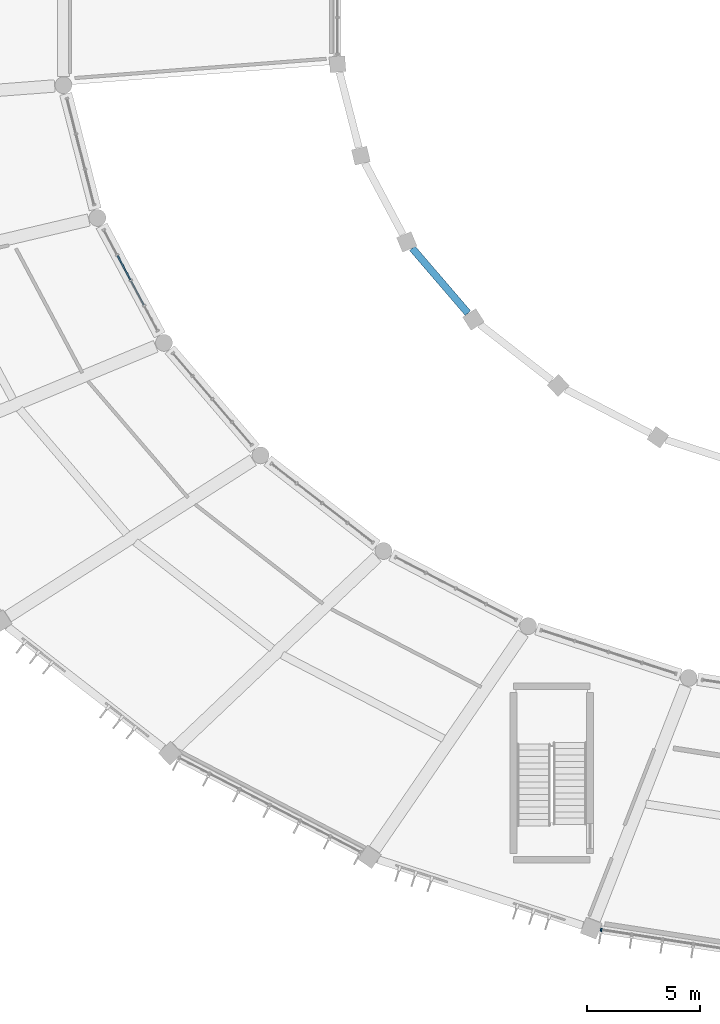
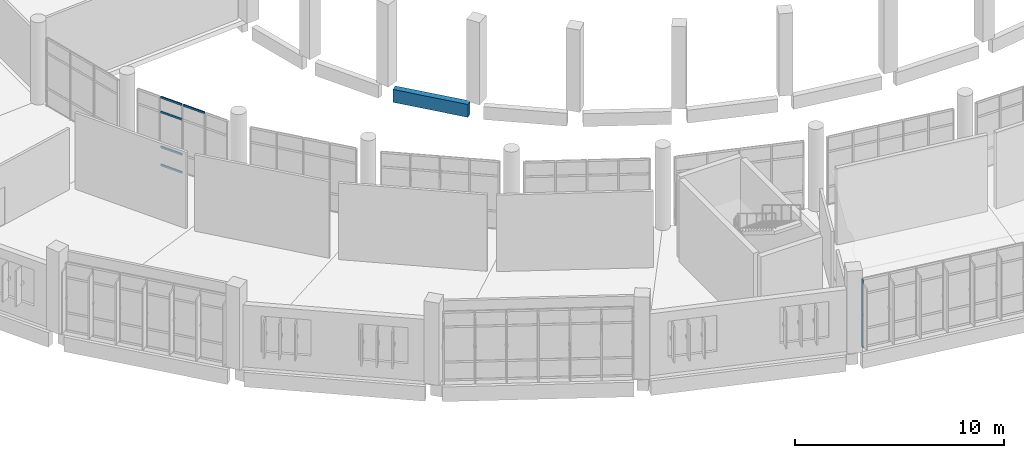
# One storey, part 12 of 179: 6 members, 1 beam, 2 elements without a shape of their own.
"""IFC4 building model written with IfcOpenShell, lengths in metres."""

from ifc_helpers import new_model, si_unit, direction, frame, origin, origin_2d, place, context, subcontext, project, spatial, rectangle, extrude, material, layer, layer_set, material_profile, profile_set, type_object, element, aggregate, save


model = new_model("IFC4")

# Units and contexts
model_context = context("Model", 3, precision=1e-05, world=origin(), true_north=direction((0.0, 1.0)))
body_context = subcontext(model_context, "Body", "Model", "MODEL_VIEW")
ifc_project = project(units=[si_unit("LENGTHUNIT", "METRE"), si_unit("AREAUNIT", "SQUARE_METRE"), si_unit("VOLUMEUNIT", "CUBIC_METRE"), si_unit("PLANEANGLEUNIT", "RADIAN"), si_unit("MASSUNIT", "GRAM", prefix="KILO")], contexts=[model_context])

# Site, building, storey
site_placement = place(None, origin())
site = spatial("IfcSite", under=ifc_project, at=site_placement, CompositionType="ELEMENT")
building_placement = place(site_placement, origin())
building = spatial("IfcBuilding", under=site, at=building_placement, Name="Corvandel Quay Wholesale Market", CompositionType="ELEMENT")
storey_placement = place(building_placement, frame((0.0, 0.0, 6.0)))
storey = spatial("IfcBuildingStorey", under=building, at=storey_placement, Name="L01", CompositionType="ELEMENT", Elevation=6.0)

# Curtain wall, member
ifc_material_1 = material(Name="Bronze anodised aluminium and low-E insulated glazing", Category="aluminium")
ifc_layer_1 = layer(ifc_material_1, 0.174072265625)
ifc_layer_set_1 = layer_set([ifc_layer_1], Name="Bronze anodised aluminium and low-E insulated glazing")
curtain_wall_type_1 = type_object("IfcCurtainWallType", Name="Stick Curtain Wall System CW27 H5430", PredefinedType="NOTDEFINED", material=ifc_layer_set_1)
curtain_wall_1_placement = place(storey_placement, origin())
curtain_wall_1 = element("IfcCurtainWall", 1, at=curtain_wall_1_placement, inside=storey, type_object=curtain_wall_type_1, Name="Curtain Wall CW-0066", PredefinedType="NOTDEFINED")
ifc_material_2 = material(Name="Anodised aluminium 6063-T6", Category="aluminium")
ifc_material_profile_1 = material_profile(ifc_material_2, rectangle(XDim=0.06494140625, YDim=0.14990234375, at=origin_2d()), Name="ALU-MUL-65x150")
ifc_profile_set_1 = profile_set([ifc_material_profile_1], Name="Anodised aluminium 6063-T6")
member_type_1 = type_object("IfcMemberType", Name="Curtain Wall Mullion ML02 65x150", PredefinedType="MULLION", material=ifc_profile_set_1)
member_1_placement = place(storey_placement, frame((98.693603515625, 1.545166015625, 0.0), z_axis=(0.0, 0.0, 1.0), x_axis=(-0.98825506746, 0.152813355565, 0.0)))
member_1 = element("IfcMember", 2, at=member_1_placement, type_object=member_type_1, Name="Mullion CW-0066-M00", PredefinedType="MULLION", context=body_context, shape_type="SweptSolid", body=[
    extrude(rectangle(XDim=0.06494140625, YDim=0.14990234375, at=origin_2d()), origin(), (0.0, 0.0, 1.0), 3.949951171875),
])
aggregate(curtain_wall_1, [member_1])

# Curtain wall, members
ifc_layer_2 = layer(ifc_material_1, 0.18603515625)
ifc_layer_set_2 = layer_set([ifc_layer_2], Name="Bronze anodised aluminium and low-E insulated glazing")
curtain_wall_type_2 = type_object("IfcCurtainWallType", Name="Stick Curtain Wall System CW08 H3720", PredefinedType="NOTDEFINED", material=ifc_layer_set_2)
curtain_wall_2_placement = place(storey_placement, origin())
curtain_wall_2 = element("IfcCurtainWall", 3, at=curtain_wall_2_placement, inside=storey, type_object=curtain_wall_type_2, Name="Curtain Wall CW-0051", PredefinedType="NOTDEFINED")
ifc_material_profile_2 = material_profile(ifc_material_2, rectangle(XDim=0.06005859375, YDim=0.110107421875, at=origin_2d()), Name="ALU-TRN-60x110")
ifc_profile_set_2 = profile_set([ifc_material_profile_2], Name="Anodised aluminium 6063-T6")
member_type_2 = type_object("IfcMemberType", Name="Curtain Wall Transom TR02 60x110", PredefinedType="USERDEFINED", material=ifc_profile_set_2)
member_2_placement = place(storey_placement, frame((77.2490234375, 31.439208984375, 0.0), z_axis=(0.470093651578, -0.882616541169, 0.0), x_axis=(0.882616541169, 0.470093651578, 0.0)))
member_2 = element("IfcMember", 4, at=member_2_placement, type_object=member_type_2, Name="Transom CW-0051-T01-0", ObjectType="TRANSOM", PredefinedType="USERDEFINED", context=body_context, shape_type="SweptSolid", body=[
    extrude(rectangle(XDim=0.06005859375, YDim=0.110107421875, at=origin_2d()), origin(), (0.0, 0.0, 1.0), 1.204345703125),
])
member_3_placement = place(storey_placement, frame((77.2490234375, 31.439208984375, 1.050048828125), z_axis=(0.470093651578, -0.882616541169, 0.0), x_axis=(0.882616541169, 0.470093651578, 0.0)))
member_3 = element("IfcMember", 5, at=member_3_placement, type_object=member_type_2, Name="Transom CW-0051-T01-1", ObjectType="TRANSOM", PredefinedType="USERDEFINED", context=body_context, shape_type="SweptSolid", body=[
    extrude(rectangle(XDim=0.06005859375, YDim=0.110107421875, at=origin_2d()), origin(), (0.0, 0.0, 1.0), 1.204345703125),
])
member_4_placement = place(storey_placement, frame((77.2490234375, 31.439208984375, 3.10009765625), z_axis=(0.470093651578, -0.882616541169, 0.0), x_axis=(0.882616541169, 0.470093651578, 0.0)))
member_4 = element("IfcMember", 6, at=member_4_placement, type_object=member_type_2, Name="Transom CW-0051-T01-2", ObjectType="TRANSOM", PredefinedType="USERDEFINED", context=body_context, shape_type="SweptSolid", body=[
    extrude(rectangle(XDim=0.06005859375, YDim=0.110107421875, at=origin_2d()), origin(), (0.0, 0.0, 1.0), 1.204345703125),
])
member_5_placement = place(storey_placement, frame((77.2490234375, 31.439208984375, 3.949951171875), z_axis=(0.470093651578, -0.882616541169, 0.0), x_axis=(0.882616541169, 0.470093651578, 0.0)))
member_5 = element("IfcMember", 7, at=member_5_placement, type_object=member_type_2, Name="Transom CW-0051-T01-3", ObjectType="TRANSOM", PredefinedType="USERDEFINED", context=body_context, shape_type="SweptSolid", body=[
    extrude(rectangle(XDim=0.06005859375, YDim=0.110107421875, at=origin_2d()), origin(), (0.0, 0.0, 1.0), 1.204345703125),
])
member_6_placement = place(storey_placement, frame((77.845703125, 30.31884765625, 3.949951171875), z_axis=(0.470167437755, -0.882577237682, 0.0), x_axis=(0.882577237682, 0.470167437755, 0.0)))
member_6 = element("IfcMember", 8, at=member_6_placement, type_object=member_type_2, Name="Transom CW-0051-T02-3", ObjectType="TRANSOM", PredefinedType="USERDEFINED", context=body_context, shape_type="SweptSolid", body=[
    extrude(rectangle(XDim=0.06005859375, YDim=0.110107421875, at=origin_2d()), origin(), (0.0, 0.0, 1.0), 1.20458984375),
])
aggregate(curtain_wall_2, [member_2, member_3, member_4, member_5, member_6])

# Beam
ifc_material_3 = material(Name="Precast concrete C45/55", Category="concrete")
ifc_material_profile_3 = material_profile(ifc_material_3, rectangle(XDim=0.320068359375, YDim=0.75, at=origin_2d()), Name="PC-SPN-320x750")
ifc_profile_set_3 = profile_set([ifc_material_profile_3], Name="Precast concrete C45/55")
beam_type = type_object("IfcBeamType", Name="Pavilion Precast Spandrel SP02 320x750", PredefinedType="SPANDREL", material=ifc_profile_set_3)
beam_placement = place(storey_placement, frame((90.314208984375, 31.772216796875, -0.655029296875), z_axis=(0.651617544781, -0.758547675056, 0.0), x_axis=(0.758547675056, 0.651617544781, 0.0)))
element("IfcBeam", 9, at=beam_placement, inside=storey, type_object=beam_type, Name="Beam BM-0233", PredefinedType="SPANDREL", context=body_context, shape_type="SweptSolid", body=[
    extrude(rectangle(XDim=0.320068359375, YDim=0.75, at=origin_2d()), origin(), (0.0, 0.0, 1.0), 3.794677734375),
])

save(model, "model.ifc")
